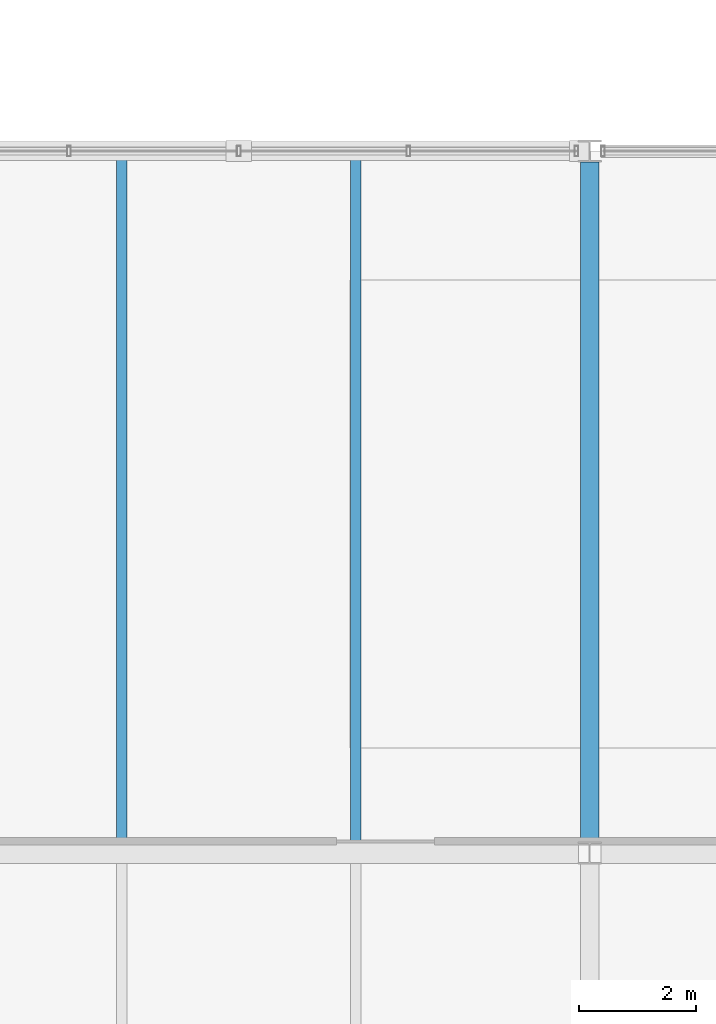
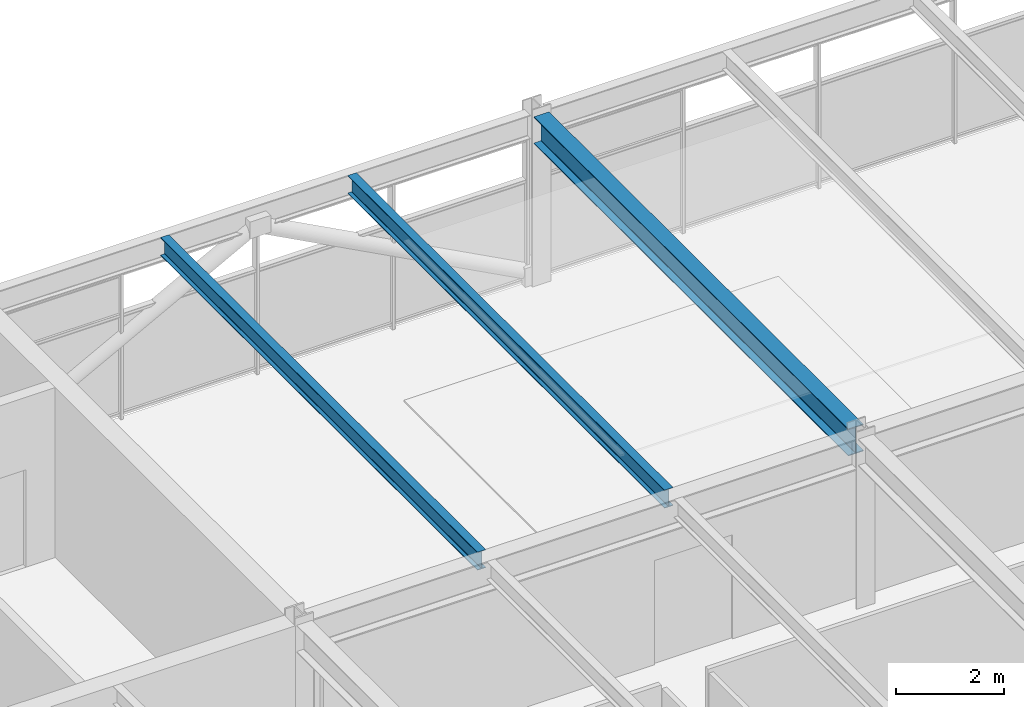
# One storey, part 35 of 49: 3 beams.
"""IFC4 building model written with IfcOpenShell, lengths in metres."""

from ifc_helpers import new_model, si_unit, direction, frame, origin, origin_2d, place, context, subcontext, project, spatial, i_section, extrude, material, material_profile, profile_set, type_object, element, save


model = new_model("IFC4")

# Units and contexts
model_context = context("Model", 3, precision=1e-05, world=origin(), true_north=direction((0.0, 1.0)))
body_context = subcontext(model_context, "Body", "Model", "MODEL_VIEW")
ifc_project = project(units=[si_unit("LENGTHUNIT", "METRE"), si_unit("AREAUNIT", "SQUARE_METRE"), si_unit("VOLUMEUNIT", "CUBIC_METRE"), si_unit("PLANEANGLEUNIT", "RADIAN"), si_unit("MASSUNIT", "GRAM", prefix="KILO")], contexts=[model_context])

# Site, building, storey
site_placement = place(None, origin())
site = spatial("IfcSite", under=ifc_project, at=site_placement, CompositionType="ELEMENT")
building_placement = place(site_placement, origin())
building = spatial("IfcBuilding", under=site, at=building_placement, Name="Girod Span Mobility Hub", CompositionType="ELEMENT")
storey_placement = place(building_placement, frame((0.0, 0.0, 37.60009765625)))
storey = spatial("IfcBuildingStorey", under=building, at=storey_placement, Name="L09", CompositionType="ELEMENT", Elevation=37.60009765625)

# Beams
ifc_material_1 = material(Name="Steel A992 Grade 50", Category="steel")
ifc_material_profile_1 = material_profile(ifc_material_1, i_section(OverallWidth=0.178955078125, OverallDepth=0.409912109375, WebThickness=0.0087890625, FlangeThickness=0.014404296875, FilletRadius=0.012939453125, at=origin_2d()), Name="W16X45")
ifc_profile_set_1 = profile_set([ifc_material_profile_1], Name="Steel A992 Grade 50")
beam_type_1 = type_object("IfcBeamType", Name="BM-STL-W16X45", PredefinedType="BEAM", material=ifc_profile_set_1)
for number, where, z_axis, x_axis, name in (
    (1, (124.0, 57.174560546875, 3.6298828125), (0.0, 1.0, 0.0), (-1.0, 0.0, 0.0), "Composite Floorbeam 11/E-1 L09"),
    (2, (128.0, 57.174560546875, 3.6298828125), (0.0, 1.0, 0.0), (-1.0, 0.0, 0.0), "Composite Floorbeam 11/E-2 L09"),
):
    element("IfcBeam", number, at=place(storey_placement, frame(where, z_axis=z_axis, x_axis=x_axis)), inside=storey, type_object=beam_type_1, Name=name, PredefinedType="BEAM", context=body_context, shape_type="SweptSolid", body=[
        extrude(i_section(OverallWidth=0.178955078125, OverallDepth=0.409912109375, WebThickness=0.0087890625, FlangeThickness=0.014404296875, FilletRadius=0.012939453125, at=origin_2d()), origin(), (0.0, 0.0, 1.0), 11.722412109375),
    ])
ifc_material_2 = material(Name="Steel A992 Grade 50", Category="steel")
ifc_material_profile_2 = material_profile(ifc_material_2, i_section(OverallWidth=0.323974609375, OverallDepth=0.611083984375, WebThickness=0.0126953125, FlangeThickness=0.01904296875, FilletRadius=0.014892578125, at=origin_2d()), Name="W24X104")
ifc_profile_set_2 = profile_set([ifc_material_profile_2], Name="Steel A992 Grade 50")
beam_type_2 = type_object("IfcBeamType", Name="BM-STL-W24X104", PredefinedType="BEAM", material=ifc_profile_set_2)
beam_placement = place(storey_placement, frame((132.0, 57.1845703125, 3.529296875), z_axis=(0.0, 1.0, 0.0), x_axis=(-1.0, 0.0, 0.0)))
element("IfcBeam", 3, at=beam_placement, inside=storey, type_object=beam_type_2, Name="Tie Girder 12/E-F L09", PredefinedType="BEAM", context=body_context, shape_type="SweptSolid", body=[
    extrude(i_section(OverallWidth=0.323974609375, OverallDepth=0.611083984375, WebThickness=0.0126953125, FlangeThickness=0.01904296875, FilletRadius=0.014892578125, at=origin_2d()), origin(), (0.0, 0.0, 1.0), 11.630859375),
])

save(model, "model.ifc")
